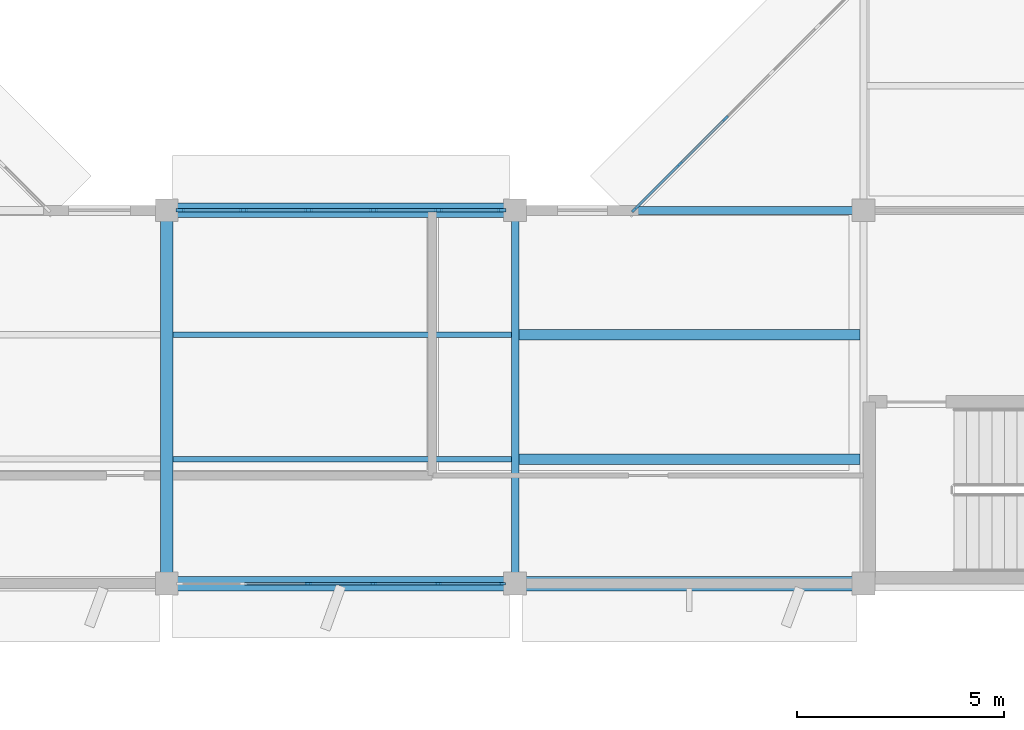
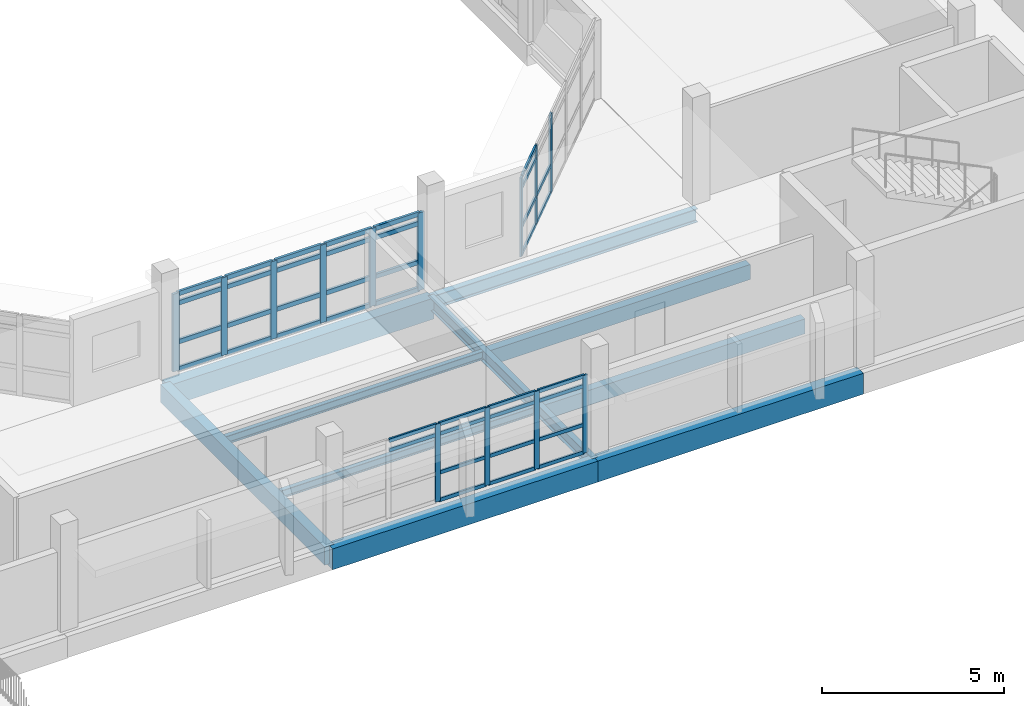
# One storey, part 11 of 92: 53 members, 10 beams, 3 elements without a shape of their own.
"""IFC4 building model written with IfcOpenShell, lengths in metres."""

import ifcopenshell
import ifcopenshell.guid

model = None  # the IFC model being written
_history = None  # IfcOwnerHistory: only IFC2X3 demands one
_inside = {}  # id of a spatial element -> (the spatial element, [elements in it])
_under = {}  # id of a project, library or spatial element -> (it, [spatial elements below it])
_declared = {}  # id of a project -> (the project, [libraries it declares])
_typed = {}  # id of a type object -> (the type object, [elements of that type])
_made_of = {}  # id of a material, layer set ... -> (it, [elements and type objects made of it])


def new_model(schema):
    """Start an empty IFC model of exactly this schema.

    Asked for "IFC4X3", IfcOpenShell would pick the latest addendum, in which some entities
    have other attributes; the version numbers below select the first issue.
    IFC2X3 requires an IfcOwnerHistory on every rooted entity: one is made here for all.
    """
    global model, _history
    if schema == "IFC4X3":
        model = ifcopenshell.file(schema_version=(4, 3, 0, 0))
    else:
        model = ifcopenshell.file(schema=schema)
    _inside.clear()
    _under.clear()
    _declared.clear()
    _typed.clear()
    _made_of.clear()
    _history = None
    if model.schema == "IFC2X3":
        org = make("IfcOrganization", Name="unknown")
        user = make(
            "IfcPersonAndOrganization",
            ThePerson=make("IfcPerson", FamilyName="unknown"),
            TheOrganization=org,
        )
        app = make(
            "IfcApplication",
            ApplicationDeveloper=org,
            Version="unknown",
            ApplicationFullName="unknown",
            ApplicationIdentifier="unknown",
        )
        _history = make(
            "IfcOwnerHistory",
            OwningUser=user,
            OwningApplication=app,
            ChangeAction="ADDED",
            CreationDate=0,
        )
    return model


def make(cls, **values):
    """One entity of the class cls with the attributes given. An attribute that is None is left unset."""
    return model.create_entity(
        cls, **{name: value for name, value in values.items() if value is not None}
    )


def rooted(cls, **values):
    """An entity with a GlobalId (a new one), such as an element, a storey or a relation."""
    return make(cls, GlobalId=ifcopenshell.guid.new(), OwnerHistory=_history, **values)


def si_unit(unit_type, name, prefix=None):
    """IfcSIUnit, for example si_unit("LENGTHUNIT", "METRE", prefix="MILLI")."""
    return make("IfcSIUnit", UnitType=unit_type, Prefix=prefix, Name=name)


def assignment(units):
    """IfcUnitAssignment: the units of a project."""
    return None if units is None else make("IfcUnitAssignment", Units=units)


def point(xyz):
    """IfcCartesianPoint."""
    return None if xyz is None else make("IfcCartesianPoint", Coordinates=xyz)


def direction(xyz):
    """IfcDirection."""
    return None if xyz is None else make("IfcDirection", DirectionRatios=xyz)


def frame(location, z_axis=None, x_axis=None):
    """IfcAxis2Placement3D, a coordinate frame: its origin and axes. An axis left out is left unset."""
    return make(
        "IfcAxis2Placement3D",
        Location=point(location),
        Axis=direction(z_axis),
        RefDirection=direction(x_axis),
    )


def frame_2d(location, x_axis=None):
    """IfcAxis2Placement2D, a coordinate frame in the plane: its origin and x axis."""
    return make(
        "IfcAxis2Placement2D", Location=point(location), RefDirection=direction(x_axis)
    )


def origin():
    """The frame at (0, 0, 0) with its axes left unset."""
    return frame((0.0, 0.0, 0.0))


def origin_2d():
    """The frame at (0, 0) in the plane with its x axis left unset."""
    return frame_2d((0.0, 0.0))


def place(relative_to, where):
    """IfcLocalPlacement: puts the frame where relative to a parent placement (None: the world)."""
    return make(
        "IfcLocalPlacement", PlacementRelTo=relative_to, RelativePlacement=where
    )


def context(
    kind, dimensions, precision=None, world=None, true_north=None, identifier=None
):
    """IfcGeometricRepresentationContext, for example the 3D "Model" context."""
    return make(
        "IfcGeometricRepresentationContext",
        ContextIdentifier=identifier,
        ContextType=kind,
        CoordinateSpaceDimension=dimensions,
        Precision=precision,
        WorldCoordinateSystem=world,
        TrueNorth=true_north,
    )


def subcontext(parent, identifier, kind, view, scale=None):
    """IfcGeometricRepresentationSubContext, for example "Body" below "Model"."""
    return make(
        "IfcGeometricRepresentationSubContext",
        ContextIdentifier=identifier,
        ContextType=kind,
        ParentContext=parent,
        TargetScale=scale,
        TargetView=view,
    )


def project(units=None, contexts=None):
    """IfcProject with its units and contexts."""
    return rooted(
        "IfcProject",
        Name="project",
        RepresentationContexts=contexts,
        UnitsInContext=assignment(units),
    )


def spatial(cls, under=None, at=None, **own):
    """A site, building, storey or space (cls), placed at a placement, below another one or the project."""
    s = rooted(cls, ObjectPlacement=at, **own)
    if under is not None:
        _under.setdefault(under.id(), (under, []))[1].append(s)
    return s


def profile(cls, at=None, kind="AREA", **sizes):
    """A parametric profile (cls). Its sizes go by their IFC names, for example OverallWidth=200.0."""
    return make(cls, ProfileType=kind, Position=at, **sizes)


def rectangle(**sizes):
    """IfcRectangleProfileDef."""
    return profile("IfcRectangleProfileDef", **sizes)


def i_section(**sizes):
    """IfcIShapeProfileDef."""
    return profile("IfcIShapeProfileDef", **sizes)


def extrude(swept, where, along, depth):
    """IfcExtrudedAreaSolid: the profile swept, set in the frame where, extruded along a direction by depth."""
    return make(
        "IfcExtrudedAreaSolid",
        SweptArea=swept,
        Position=where,
        ExtrudedDirection=direction(along),
        Depth=depth,
    )


def shape(context_of_items, identifier, shape_type, items):
    """IfcShapeRepresentation: the items that make up one representation, for example the "Body"."""
    return make(
        "IfcShapeRepresentation",
        ContextOfItems=context_of_items,
        RepresentationIdentifier=identifier,
        RepresentationType=shape_type,
        Items=items,
    )


def material(Name=None, Category=None):
    """IfcMaterial."""
    return make("IfcMaterial", Name=Name, Category=Category)


def material_profile(
    of_material, cross_section, Name=None, Category=None, Priority=None
):
    """IfcMaterialProfile: a cross section and its material."""
    return make(
        "IfcMaterialProfile",
        Name=Name,
        Material=of_material,
        Profile=cross_section,
        Priority=Priority,
        Category=Category,
    )


def profile_set(profiles, Name=None, composite=None):
    """IfcMaterialProfileSet."""
    return make(
        "IfcMaterialProfileSet",
        Name=Name,
        MaterialProfiles=profiles,
        CompositeProfile=composite,
    )


def made_of(thing, what):
    """Note that an element or type object is made of a material, layer set ...; save() writes the relation."""
    if what is not None:
        _made_of.setdefault(what.id(), (what, []))[1].append(thing)
    return thing


def type_object(cls, material=None, **own):
    """A type object (cls), such as IfcWallType, which elements share."""
    return made_of(rooted(cls, **own), material)


def element(
    cls,
    number,
    at=None,
    inside=None,
    cuts=None,
    type_object=None,
    material=None,
    context=None,
    identifier="Body",
    shape_type=None,
    held_by="IfcProductDefinitionShape",
    body=None,
    shapes=None,
    **own,
):
    """One element of the class cls, such as IfcWall. Its Tag is "e" and its number.

    at: its placement. inside: the storey or other place that contains it. cuts: it is an
    opening in that element (IfcRelVoidsElement). A single representation is given by context,
    identifier, shape_type and body (its items); several are given by shapes. held_by: the class
    of the entity that holds the representations. save() writes the other relations.
    """
    e = rooted(cls, Tag="e%d" % number, ObjectPlacement=at, **own)
    if body is not None:
        shapes = [shape(context, identifier, shape_type, body)]
    if shapes is not None:
        e.Representation = make(held_by, Representations=shapes)
    if inside is not None:
        _inside.setdefault(inside.id(), (inside, []))[1].append(e)
    if cuts is not None:
        rooted(
            "IfcRelVoidsElement", RelatingBuildingElement=cuts, RelatedOpeningElement=e
        )
    if type_object is not None:
        _typed.setdefault(type_object.id(), (type_object, []))[1].append(e)
    return made_of(e, material)


def aggregate(whole, parts):
    """IfcRelAggregates: a whole, such as a stair, and the parts it consists of."""
    return rooted("IfcRelAggregates", RelatingObject=whole, RelatedObjects=parts)


def save(model, path):
    """Write the relations noted so far, then the file.

    IfcRelAggregates (storeys below a building ...), IfcRelContainedInSpatialStructure (elements
    in a storey), IfcRelDefinesByType, IfcRelAssociatesMaterial and IfcRelDeclares: one each for
    every whole, place, type object, material and project.
    """
    for whole, parts in _under.values():
        aggregate(whole, parts)
    for where, things in _inside.values():
        rooted(
            "IfcRelContainedInSpatialStructure",
            RelatedElements=things,
            RelatingStructure=where,
        )
    for kind, things in _typed.values():
        rooted("IfcRelDefinesByType", RelatedObjects=things, RelatingType=kind)
    for what, things in _made_of.values():
        rooted("IfcRelAssociatesMaterial", RelatedObjects=things, RelatingMaterial=what)
    for by, libraries in _declared.values():
        rooted("IfcRelDeclares", RelatingContext=by, RelatedDefinitions=libraries)
    model.write(path)


model = new_model("IFC4")

# Units and contexts
model_context = context("Model", 3, precision=1e-05, world=origin(), true_north=direction((0.0, 1.0)))
body_context = subcontext(model_context, "Body", "Model", "MODEL_VIEW")
ifc_project = project(units=[si_unit("LENGTHUNIT", "METRE"), si_unit("AREAUNIT", "SQUARE_METRE"), si_unit("VOLUMEUNIT", "CUBIC_METRE"), si_unit("PLANEANGLEUNIT", "RADIAN"), si_unit("MASSUNIT", "GRAM", prefix="KILO")], contexts=[model_context])

# Site, building, storey
site_placement = place(None, origin())
site = spatial("IfcSite", under=ifc_project, at=site_placement, CompositionType="ELEMENT")
building_placement = place(site_placement, origin())
building = spatial("IfcBuilding", under=site, at=building_placement, Name="Vanh Quang Courtyard School", CompositionType="ELEMENT")
storey_placement = place(building_placement, frame((0.0, 0.0, 7.800048828125)))
storey = spatial("IfcBuildingStorey", under=building, at=storey_placement, Name="L02", CompositionType="ELEMENT", Elevation=7.800048828125)

# Beams
ifc_material_1 = material(Name="Concrete C35/45", Category="concrete")
ifc_material_profile_1 = material_profile(ifc_material_1, rectangle(XDim=0.300048828125, YDim=0.60009765625, at=origin_2d()), Name="RC-BM 300x600")
ifc_profile_set_1 = profile_set([ifc_material_profile_1], Name="Concrete C35/45")
beam_type_1 = type_object("IfcBeamType", Name="BM-RC-300x600", PredefinedType="BEAM", material=ifc_profile_set_1)
beam_1_placement = place(storey_placement, frame((49.199951171875, 32.39990234375, -0.60009765625), z_axis=(0.0, 1.0, 0.0), x_axis=(-1.0, 0.0, 0.0)))
element("IfcBeam", 1, at=beam_1_placement, inside=storey, type_object=beam_type_1, Name="Beam B-06 (L02)", PredefinedType="BEAM", context=body_context, shape_type="SweptSolid", body=[
    extrude(rectangle(XDim=0.300048828125, YDim=0.60009765625, at=origin_2d()), origin(), (0.0, 0.0, 1.0), 9.0),
])
ifc_material_profile_2 = material_profile(ifc_material_1, rectangle(XDim=0.35009765625, YDim=0.699951171875, at=origin_2d()), Name="RC-BM 350x700")
ifc_profile_set_2 = profile_set([ifc_material_profile_2], Name="Concrete C35/45")
beam_type_2 = type_object("IfcBeamType", Name="BM-RC-350x700", PredefinedType="BEAM", material=ifc_profile_set_2)
beam_2_placement = place(storey_placement, frame((49.199951171875, 32.39990234375, -0.650146484375), z_axis=(1.0, 0.0, 0.0), x_axis=(0.0, 1.0, 0.0)))
element("IfcBeam", 2, at=beam_2_placement, inside=storey, type_object=beam_type_2, Name="Beam B-04 (L02)", PredefinedType="BEAM", context=body_context, shape_type="SweptSolid", body=[
    extrude(rectangle(XDim=0.35009765625, YDim=0.699951171875, at=origin_2d()), origin(), (0.0, 0.0, 1.0), 8.400146484375),
])
beam_3_placement = place(storey_placement, frame((57.60009765625, 32.39990234375, -0.650146484375), z_axis=(1.0, 0.0, 0.0), x_axis=(0.0, 1.0, 0.0)))
element("IfcBeam", 3, at=beam_3_placement, inside=storey, type_object=beam_type_2, Name="Beam B-04 (L02)", PredefinedType="BEAM", context=body_context, shape_type="SweptSolid", body=[
    extrude(rectangle(XDim=0.35009765625, YDim=0.699951171875, at=origin_2d()), origin(), (0.0, 0.0, 1.0), 8.39990234375),
])
beam_4_placement = place(storey_placement, frame((49.199951171875, 41.39990234375, -0.650146484375), z_axis=(1.0, 0.0, 0.0), x_axis=(0.0, 1.0, 0.0)))
element("IfcBeam", 4, at=beam_4_placement, inside=storey, type_object=beam_type_2, Name="Beam B-04 (L02)", PredefinedType="BEAM", context=body_context, shape_type="SweptSolid", body=[
    extrude(rectangle(XDim=0.35009765625, YDim=0.699951171875, at=origin_2d()), origin(), (0.0, 0.0, 1.0), 8.400146484375),
])
ifc_material_2 = material(Name="Structural steel EN 10025-2 S355J2", Category="steel")
ifc_material_profile_3 = material_profile(ifc_material_2, i_section(OverallWidth=0.179931640625, OverallDepth=0.39990234375, WebThickness=0.008544921875, FlangeThickness=0.013427734375, FilletRadius=0.02099609375, at=origin_2d()), Name="IPE 400")
ifc_profile_set_3 = profile_set([ifc_material_profile_3], Name="Structural steel EN 10025-2 S355J2")
beam_type_3 = type_object("IfcBeamType", Name="BM-STL-IPE400", PredefinedType="BEAM", material=ifc_profile_set_3)
beam_5_placement = place(storey_placement, frame((57.60009765625, 32.39990234375, -0.5), z_axis=(0.0, 1.0, 0.0), x_axis=(-1.0, 0.0, 0.0)))
element("IfcBeam", 5, at=beam_5_placement, inside=storey, type_object=beam_type_3, Name="Beam SB-05 (L02)", PredefinedType="BEAM", context=body_context, shape_type="SweptSolid", body=[
    extrude(i_section(OverallWidth=0.179931640625, OverallDepth=0.39990234375, WebThickness=0.008544921875, FlangeThickness=0.013427734375, FilletRadius=0.02099609375, at=origin_2d()), origin(), (0.0, 0.0, 1.0), 9.0),
])
ifc_material_profile_4 = material_profile(ifc_material_2, i_section(OverallWidth=0.18994140625, OverallDepth=0.449951171875, WebThickness=0.009521484375, FlangeThickness=0.0146484375, FilletRadius=0.02099609375, at=origin_2d()), Name="IPE 450")
ifc_profile_set_4 = profile_set([ifc_material_profile_4], Name="Structural steel EN 10025-2 S355J2")
beam_type_4 = type_object("IfcBeamType", Name="BM-STL-IPE450", PredefinedType="BEAM", material=ifc_profile_set_4)
beam_6_placement = place(storey_placement, frame((57.60009765625, 41.39990234375, -0.525146484375), z_axis=(1.0, 0.0, 0.0), x_axis=(0.0, 1.0, 0.0)))
element("IfcBeam", 6, at=beam_6_placement, inside=storey, type_object=beam_type_4, Name="Beam SB-04 (L02)", PredefinedType="BEAM", context=body_context, shape_type="SweptSolid", body=[
    extrude(i_section(OverallWidth=0.18994140625, OverallDepth=0.449951171875, WebThickness=0.009521484375, FlangeThickness=0.0146484375, FilletRadius=0.02099609375, at=origin_2d()), origin(), (0.0, 0.0, 1.0), 8.39990234375),
])

# Curtain wall, members
ifc_material_3 = material(Name="Thermally broken aluminium unitised curtain wall", Category="aluminium")
curtain_wall_type = type_object("IfcCurtainWallType", Name="CW-SYS-24", PredefinedType="NOTDEFINED", material=ifc_material_3)
curtain_wall_1_placement = place(storey_placement, origin())
curtain_wall_1 = element("IfcCurtainWall", 7, at=curtain_wall_1_placement, inside=storey, type_object=curtain_wall_type, Name="Curtain Wall CW-24 (L02)", PredefinedType="NOTDEFINED")
ifc_material_4 = material(Name="Anodised aluminium 6063-T6", Category="aluminium")
ifc_material_profile_5 = material_profile(ifc_material_4, rectangle(XDim=0.06005859375, YDim=0.159912109375, at=origin_2d()), Name="ALU-MUL 60x160")
ifc_profile_set_5 = profile_set([ifc_material_profile_5], Name="Anodised aluminium 6063-T6")
member_type_1 = type_object("IfcMemberType", Name="CW-MUL-60x160", PredefinedType="MULLION", material=ifc_profile_set_5)
member_1_placement = place(storey_placement, frame((57.287109375, 32.39990234375, 0.0), z_axis=(0.0, 0.0, 1.0), x_axis=(0.0, -1.0, 0.0)))
member_1 = element("IfcMember", 8, at=member_1_placement, type_object=member_type_1, Name="CW-24 mullion 1", PredefinedType="MULLION", context=body_context, shape_type="SweptSolid", body=[
    extrude(rectangle(XDim=0.06005859375, YDim=0.159912109375, at=origin_2d()), origin(), (0.0, 0.0, 1.0), 2.599853515625),
])
member_2_placement = place(storey_placement, frame((55.750244140625, 32.39990234375, 0.0), z_axis=(0.0, 0.0, 1.0), x_axis=(0.0, -1.0, 0.0)))
member_2 = element("IfcMember", 9, at=member_2_placement, type_object=member_type_1, Name="CW-24 mullion 2", PredefinedType="MULLION", context=body_context, shape_type="SweptSolid", body=[
    extrude(rectangle(XDim=0.06005859375, YDim=0.159912109375, at=origin_2d()), origin(), (0.0, 0.0, 1.0), 2.599853515625),
])
member_3_placement = place(storey_placement, frame((54.183349609375, 32.39990234375, 0.0), z_axis=(0.0, 0.0, 1.0), x_axis=(0.0, -1.0, 0.0)))
member_3 = element("IfcMember", 10, at=member_3_placement, type_object=member_type_1, Name="CW-24 mullion 3", PredefinedType="MULLION", context=body_context, shape_type="SweptSolid", body=[
    extrude(rectangle(XDim=0.06005859375, YDim=0.159912109375, at=origin_2d()), origin(), (0.0, 0.0, 1.0), 2.599853515625),
])
member_4_placement = place(storey_placement, frame((52.61669921875, 32.39990234375, 0.0), z_axis=(0.0, 0.0, 1.0), x_axis=(0.0, -1.0, 0.0)))
member_4 = element("IfcMember", 11, at=member_4_placement, type_object=member_type_1, Name="CW-24 mullion 4", PredefinedType="MULLION", context=body_context, shape_type="SweptSolid", body=[
    extrude(rectangle(XDim=0.06005859375, YDim=0.159912109375, at=origin_2d()), origin(), (0.0, 0.0, 1.0), 2.599853515625),
])

curtain_wall_2_placement = place(storey_placement, origin())
curtain_wall_2 = element("IfcCurtainWall", 12, at=curtain_wall_2_placement, inside=storey, type_object=curtain_wall_type, Name="Curtain Wall CW-24 (L02)", PredefinedType="NOTDEFINED")
member_5_placement = place(storey_placement, frame((60.477294921875, 41.421142578125, 0.0), z_axis=(0.0, 0.0, 1.0), x_axis=(-0.707106781187, 0.707106781187, 0.0)))
member_5 = element("IfcMember", 13, at=member_5_placement, type_object=member_type_1, Name="CW-24 mullion 1", PredefinedType="MULLION", context=body_context, shape_type="SweptSolid", body=[
    extrude(rectangle(XDim=0.06005859375, YDim=0.159912109375, at=origin_2d()), origin(), (0.0, 0.0, 1.0), 2.64990234375),
])
member_6_placement = place(storey_placement, frame((61.564697265625, 42.5087890625, 0.0), z_axis=(0.0, 0.0, 1.0), x_axis=(-0.707106781187, 0.707106781187, 0.0)))
member_6 = element("IfcMember", 14, at=member_6_placement, type_object=member_type_1, Name="CW-24 mullion 2", PredefinedType="MULLION", context=body_context, shape_type="SweptSolid", body=[
    extrude(rectangle(XDim=0.06005859375, YDim=0.159912109375, at=origin_2d()), origin(), (0.0, 0.0, 1.0), 2.64990234375),
])
member_7_placement = place(storey_placement, frame((62.673583984375, 43.61767578125, 0.0), z_axis=(0.0, 0.0, 1.0), x_axis=(-0.707106781187, 0.707106781187, 0.0)))
member_7 = element("IfcMember", 15, at=member_7_placement, type_object=member_type_1, Name="CW-24 mullion 3", PredefinedType="MULLION", context=body_context, shape_type="SweptSolid", body=[
    extrude(rectangle(XDim=0.06005859375, YDim=0.159912109375, at=origin_2d()), origin(), (0.0, 0.0, 1.0), 2.64990234375),
])

curtain_wall_3_placement = place(storey_placement, origin())
curtain_wall_3 = element("IfcCurtainWall", 16, at=curtain_wall_3_placement, inside=storey, type_object=curtain_wall_type, Name="Curtain Wall CW-24 (L02)", PredefinedType="NOTDEFINED")
ifc_material_profile_6 = material_profile(ifc_material_4, rectangle(XDim=0.080078125, YDim=0.199951171875, at=origin_2d()), Name="ALU-MUL 80x200")
ifc_profile_set_6 = profile_set([ifc_material_profile_6], Name="Anodised aluminium 6063-T6")
member_type_2 = type_object("IfcMemberType", Name="CW-MUL-80x200", PredefinedType="MULLION", material=ifc_profile_set_6)
member_8_placement = place(storey_placement, frame((49.52294921875, 41.39990234375, 0.0), z_axis=(0.0, 0.0, 1.0), x_axis=(0.0, 1.0, 0.0)))
member_8 = element("IfcMember", 17, at=member_8_placement, type_object=member_type_2, Name="CW-24 mullion 1", PredefinedType="MULLION", context=body_context, shape_type="SweptSolid", body=[
    extrude(rectangle(XDim=0.080078125, YDim=0.199951171875, at=origin_2d()), origin(), (0.0, 0.0, 1.0), 2.599853515625),
])
member_9_placement = place(storey_placement, frame((51.0498046875, 41.39990234375, 0.0), z_axis=(0.0, 0.0, 1.0), x_axis=(0.0, 1.0, 0.0)))
member_9 = element("IfcMember", 18, at=member_9_placement, type_object=member_type_2, Name="CW-24 mullion 2", PredefinedType="MULLION", context=body_context, shape_type="SweptSolid", body=[
    extrude(rectangle(XDim=0.080078125, YDim=0.199951171875, at=origin_2d()), origin(), (0.0, 0.0, 1.0), 2.599853515625),
])
member_10_placement = place(storey_placement, frame((52.61669921875, 41.39990234375, 0.0), z_axis=(0.0, 0.0, 1.0), x_axis=(0.0, 1.0, 0.0)))
member_10 = element("IfcMember", 19, at=member_10_placement, type_object=member_type_2, Name="CW-24 mullion 3", PredefinedType="MULLION", context=body_context, shape_type="SweptSolid", body=[
    extrude(rectangle(XDim=0.080078125, YDim=0.199951171875, at=origin_2d()), origin(), (0.0, 0.0, 1.0), 2.599853515625),
])
member_11_placement = place(storey_placement, frame((54.183349609375, 41.39990234375, 0.0), z_axis=(0.0, 0.0, 1.0), x_axis=(0.0, 1.0, 0.0)))
member_11 = element("IfcMember", 20, at=member_11_placement, type_object=member_type_2, Name="CW-24 mullion 4", PredefinedType="MULLION", context=body_context, shape_type="SweptSolid", body=[
    extrude(rectangle(XDim=0.080078125, YDim=0.199951171875, at=origin_2d()), origin(), (0.0, 0.0, 1.0), 2.599853515625),
])
member_12_placement = place(storey_placement, frame((55.750244140625, 41.39990234375, 0.0), z_axis=(0.0, 0.0, 1.0), x_axis=(0.0, 1.0, 0.0)))
member_12 = element("IfcMember", 21, at=member_12_placement, type_object=member_type_2, Name="CW-24 mullion 5", PredefinedType="MULLION", context=body_context, shape_type="SweptSolid", body=[
    extrude(rectangle(XDim=0.080078125, YDim=0.199951171875, at=origin_2d()), origin(), (0.0, 0.0, 1.0), 2.599853515625),
])
member_13_placement = place(storey_placement, frame((57.277099609375, 41.39990234375, 0.0), z_axis=(0.0, 0.0, 1.0), x_axis=(0.0, 1.0, 0.0)))
member_13 = element("IfcMember", 22, at=member_13_placement, type_object=member_type_2, Name="CW-24 mullion 6", PredefinedType="MULLION", context=body_context, shape_type="SweptSolid", body=[
    extrude(rectangle(XDim=0.080078125, YDim=0.199951171875, at=origin_2d()), origin(), (0.0, 0.0, 1.0), 2.599853515625),
])

# Member
ifc_material_profile_7 = material_profile(ifc_material_4, rectangle(XDim=0.06005859375, YDim=0.1201171875, at=origin_2d()), Name="ALU-TRN 60x120")
ifc_profile_set_7 = profile_set([ifc_material_profile_7], Name="Anodised aluminium 6063-T6")
member_type_3 = type_object("IfcMemberType", Name="CW-TRN-60x120", PredefinedType="USERDEFINED", material=ifc_profile_set_7)
member_14_placement = place(storey_placement, frame((57.257080078125, 32.39990234375, 0.030029296875), z_axis=(-1.0, 0.0, 0.0), x_axis=(0.0, -1.0, 0.0)))
member_14 = element("IfcMember", 23, at=member_14_placement, type_object=member_type_3, Name="CW-24 transom 1.1", ObjectType="TRANSOM", PredefinedType="USERDEFINED", context=body_context, shape_type="SweptSolid", body=[
    extrude(rectangle(XDim=0.06005859375, YDim=0.1201171875, at=origin_2d()), origin(), (0.0, 0.0, 1.0), 1.476806640625),
])

member_15_placement = place(storey_placement, frame((57.257080078125, 32.39990234375, 0.949951171875), z_axis=(-1.0, 0.0, 0.0), x_axis=(0.0, -1.0, 0.0)))
member_15 = element("IfcMember", 24, at=member_15_placement, type_object=member_type_3, Name="CW-24 transom 1.2", ObjectType="TRANSOM", PredefinedType="USERDEFINED", context=body_context, shape_type="SweptSolid", body=[
    extrude(rectangle(XDim=0.06005859375, YDim=0.1201171875, at=origin_2d()), origin(), (0.0, 0.0, 1.0), 1.476806640625),
])

member_16_placement = place(storey_placement, frame((57.257080078125, 32.39990234375, 2.25), z_axis=(-1.0, 0.0, 0.0), x_axis=(0.0, -1.0, 0.0)))
member_16 = element("IfcMember", 25, at=member_16_placement, type_object=member_type_3, Name="CW-24 transom 1.3", ObjectType="TRANSOM", PredefinedType="USERDEFINED", context=body_context, shape_type="SweptSolid", body=[
    extrude(rectangle(XDim=0.06005859375, YDim=0.1201171875, at=origin_2d()), origin(), (0.0, 0.0, 1.0), 1.476806640625),
])

member_17_placement = place(storey_placement, frame((57.257080078125, 32.39990234375, 2.570068359375), z_axis=(-1.0, 0.0, 0.0), x_axis=(0.0, -1.0, 0.0)))
member_17 = element("IfcMember", 26, at=member_17_placement, type_object=member_type_3, Name="CW-24 transom 1.4", ObjectType="TRANSOM", PredefinedType="USERDEFINED", context=body_context, shape_type="SweptSolid", body=[
    extrude(rectangle(XDim=0.06005859375, YDim=0.1201171875, at=origin_2d()), origin(), (0.0, 0.0, 1.0), 1.476806640625),
])

member_18_placement = place(storey_placement, frame((55.72021484375, 32.39990234375, 0.030029296875), z_axis=(-1.0, 0.0, 0.0), x_axis=(0.0, -1.0, 0.0)))
member_18 = element("IfcMember", 27, at=member_18_placement, type_object=member_type_3, Name="CW-24 transom 2.1", ObjectType="TRANSOM", PredefinedType="USERDEFINED", context=body_context, shape_type="SweptSolid", body=[
    extrude(rectangle(XDim=0.06005859375, YDim=0.1201171875, at=origin_2d()), origin(), (0.0, 0.0, 1.0), 1.5068359375),
])

member_19_placement = place(storey_placement, frame((55.72021484375, 32.39990234375, 0.949951171875), z_axis=(-1.0, 0.0, 0.0), x_axis=(0.0, -1.0, 0.0)))
member_19 = element("IfcMember", 28, at=member_19_placement, type_object=member_type_3, Name="CW-24 transom 2.2", ObjectType="TRANSOM", PredefinedType="USERDEFINED", context=body_context, shape_type="SweptSolid", body=[
    extrude(rectangle(XDim=0.06005859375, YDim=0.1201171875, at=origin_2d()), origin(), (0.0, 0.0, 1.0), 1.5068359375),
])

member_20_placement = place(storey_placement, frame((55.72021484375, 32.39990234375, 2.25), z_axis=(-1.0, 0.0, 0.0), x_axis=(0.0, -1.0, 0.0)))
member_20 = element("IfcMember", 29, at=member_20_placement, type_object=member_type_3, Name="CW-24 transom 2.3", ObjectType="TRANSOM", PredefinedType="USERDEFINED", context=body_context, shape_type="SweptSolid", body=[
    extrude(rectangle(XDim=0.06005859375, YDim=0.1201171875, at=origin_2d()), origin(), (0.0, 0.0, 1.0), 1.5068359375),
])

member_21_placement = place(storey_placement, frame((55.72021484375, 32.39990234375, 2.570068359375), z_axis=(-1.0, 0.0, 0.0), x_axis=(0.0, -1.0, 0.0)))
member_21 = element("IfcMember", 30, at=member_21_placement, type_object=member_type_3, Name="CW-24 transom 2.4", ObjectType="TRANSOM", PredefinedType="USERDEFINED", context=body_context, shape_type="SweptSolid", body=[
    extrude(rectangle(XDim=0.06005859375, YDim=0.1201171875, at=origin_2d()), origin(), (0.0, 0.0, 1.0), 1.5068359375),
])

member_22_placement = place(storey_placement, frame((54.1533203125, 32.39990234375, 0.030029296875), z_axis=(-1.0, 0.0, 0.0), x_axis=(0.0, -1.0, 0.0)))
member_22 = element("IfcMember", 31, at=member_22_placement, type_object=member_type_3, Name="CW-24 transom 3.1", ObjectType="TRANSOM", PredefinedType="USERDEFINED", context=body_context, shape_type="SweptSolid", body=[
    extrude(rectangle(XDim=0.06005859375, YDim=0.1201171875, at=origin_2d()), origin(), (0.0, 0.0, 1.0), 1.5068359375),
])

member_23_placement = place(storey_placement, frame((54.1533203125, 32.39990234375, 0.949951171875), z_axis=(-1.0, 0.0, 0.0), x_axis=(0.0, -1.0, 0.0)))
member_23 = element("IfcMember", 32, at=member_23_placement, type_object=member_type_3, Name="CW-24 transom 3.2", ObjectType="TRANSOM", PredefinedType="USERDEFINED", context=body_context, shape_type="SweptSolid", body=[
    extrude(rectangle(XDim=0.06005859375, YDim=0.1201171875, at=origin_2d()), origin(), (0.0, 0.0, 1.0), 1.5068359375),
])

member_24_placement = place(storey_placement, frame((54.1533203125, 32.39990234375, 2.25), z_axis=(-1.0, 0.0, 0.0), x_axis=(0.0, -1.0, 0.0)))
member_24 = element("IfcMember", 33, at=member_24_placement, type_object=member_type_3, Name="CW-24 transom 3.3", ObjectType="TRANSOM", PredefinedType="USERDEFINED", context=body_context, shape_type="SweptSolid", body=[
    extrude(rectangle(XDim=0.06005859375, YDim=0.1201171875, at=origin_2d()), origin(), (0.0, 0.0, 1.0), 1.5068359375),
])

member_25_placement = place(storey_placement, frame((54.1533203125, 32.39990234375, 2.570068359375), z_axis=(-1.0, 0.0, 0.0), x_axis=(0.0, -1.0, 0.0)))
member_25 = element("IfcMember", 34, at=member_25_placement, type_object=member_type_3, Name="CW-24 transom 3.4", ObjectType="TRANSOM", PredefinedType="USERDEFINED", context=body_context, shape_type="SweptSolid", body=[
    extrude(rectangle(XDim=0.06005859375, YDim=0.1201171875, at=origin_2d()), origin(), (0.0, 0.0, 1.0), 1.5068359375),
])

member_26_placement = place(storey_placement, frame((52.586669921875, 32.39990234375, 2.25), z_axis=(-1.0, 0.0, 0.0), x_axis=(0.0, -1.0, 0.0)))
member_26 = element("IfcMember", 35, at=member_26_placement, type_object=member_type_3, Name="CW-24 transom 4.3", ObjectType="TRANSOM", PredefinedType="USERDEFINED", context=body_context, shape_type="SweptSolid", body=[
    extrude(rectangle(XDim=0.06005859375, YDim=0.1201171875, at=origin_2d()), origin(), (0.0, 0.0, 1.0), 1.5068359375),
])

member_27_placement = place(storey_placement, frame((52.586669921875, 32.39990234375, 2.570068359375), z_axis=(-1.0, 0.0, 0.0), x_axis=(0.0, -1.0, 0.0)))
member_27 = element("IfcMember", 36, at=member_27_placement, type_object=member_type_3, Name="CW-24 transom 4.4", ObjectType="TRANSOM", PredefinedType="USERDEFINED", context=body_context, shape_type="SweptSolid", body=[
    extrude(rectangle(XDim=0.06005859375, YDim=0.1201171875, at=origin_2d()), origin(), (0.0, 0.0, 1.0), 1.5068359375),
])

aggregate(curtain_wall_1, [member_1, member_2, member_3, member_4, member_14, member_15, member_16, member_17, member_18, member_19, member_20, member_21, member_22, member_23, member_24, member_25, member_26, member_27])

member_28_placement = place(storey_placement, frame((60.49853515625, 41.4423828125, 0.030029296875), z_axis=(0.707106781187, 0.707106781187, 0.0), x_axis=(-0.707106781187, 0.707106781187, 0.0)))
member_28 = element("IfcMember", 37, at=member_28_placement, type_object=member_type_3, Name="CW-24 transom 1.1", ObjectType="TRANSOM", PredefinedType="USERDEFINED", context=body_context, shape_type="SweptSolid", body=[
    extrude(rectangle(XDim=0.06005859375, YDim=0.1201171875, at=origin_2d()), origin(), (0.0, 0.0, 1.0), 1.47802734375),
])

member_29_placement = place(storey_placement, frame((60.49853515625, 41.4423828125, 0.949951171875), z_axis=(0.707106781187, 0.707106781187, 0.0), x_axis=(-0.707106781187, 0.707106781187, 0.0)))
member_29 = element("IfcMember", 38, at=member_29_placement, type_object=member_type_3, Name="CW-24 transom 1.2", ObjectType="TRANSOM", PredefinedType="USERDEFINED", context=body_context, shape_type="SweptSolid", body=[
    extrude(rectangle(XDim=0.06005859375, YDim=0.1201171875, at=origin_2d()), origin(), (0.0, 0.0, 1.0), 1.47802734375),
])

member_30_placement = place(storey_placement, frame((60.49853515625, 41.4423828125, 2.25), z_axis=(0.707106781187, 0.707106781187, 0.0), x_axis=(-0.707106781187, 0.707106781187, 0.0)))
member_30 = element("IfcMember", 39, at=member_30_placement, type_object=member_type_3, Name="CW-24 transom 1.3", ObjectType="TRANSOM", PredefinedType="USERDEFINED", context=body_context, shape_type="SweptSolid", body=[
    extrude(rectangle(XDim=0.06005859375, YDim=0.1201171875, at=origin_2d()), origin(), (0.0, 0.0, 1.0), 1.47802734375),
])

member_31_placement = place(storey_placement, frame((60.49853515625, 41.4423828125, 2.619873046875), z_axis=(0.707106781187, 0.707106781187, 0.0), x_axis=(-0.707106781187, 0.707106781187, 0.0)))
member_31 = element("IfcMember", 40, at=member_31_placement, type_object=member_type_3, Name="CW-24 transom 1.4", ObjectType="TRANSOM", PredefinedType="USERDEFINED", context=body_context, shape_type="SweptSolid", body=[
    extrude(rectangle(XDim=0.06005859375, YDim=0.1201171875, at=origin_2d()), origin(), (0.0, 0.0, 1.0), 1.47802734375),
])

member_32_placement = place(storey_placement, frame((61.5859375, 42.530029296875, 0.030029296875), z_axis=(0.707106781187, 0.707106781187, 0.0), x_axis=(-0.707106781187, 0.707106781187, 0.0)))
member_32 = element("IfcMember", 41, at=member_32_placement, type_object=member_type_3, Name="CW-24 transom 2.1", ObjectType="TRANSOM", PredefinedType="USERDEFINED", context=body_context, shape_type="SweptSolid", body=[
    extrude(rectangle(XDim=0.06005859375, YDim=0.1201171875, at=origin_2d()), origin(), (0.0, 0.0, 1.0), 1.508056640625),
])

member_33_placement = place(storey_placement, frame((61.5859375, 42.530029296875, 0.949951171875), z_axis=(0.707106781187, 0.707106781187, 0.0), x_axis=(-0.707106781187, 0.707106781187, 0.0)))
member_33 = element("IfcMember", 42, at=member_33_placement, type_object=member_type_3, Name="CW-24 transom 2.2", ObjectType="TRANSOM", PredefinedType="USERDEFINED", context=body_context, shape_type="SweptSolid", body=[
    extrude(rectangle(XDim=0.06005859375, YDim=0.1201171875, at=origin_2d()), origin(), (0.0, 0.0, 1.0), 1.508056640625),
])

aggregate(curtain_wall_2, [member_5, member_6, member_7, member_28, member_29, member_30, member_31, member_32, member_33])

ifc_material_profile_8 = material_profile(ifc_material_4, rectangle(XDim=0.080078125, YDim=0.14990234375, at=origin_2d()), Name="ALU-TRN 80x150")
ifc_profile_set_8 = profile_set([ifc_material_profile_8], Name="Anodised aluminium 6063-T6")
member_type_4 = type_object("IfcMemberType", Name="CW-TRN-80x150", PredefinedType="USERDEFINED", material=ifc_profile_set_8)
member_34_placement = place(storey_placement, frame((49.56298828125, 41.39990234375, 0.0400390625), z_axis=(1.0, 0.0, 0.0), x_axis=(0.0, 1.0, 0.0)))
member_34 = element("IfcMember", 43, at=member_34_placement, type_object=member_type_4, Name="CW-24 transom 1.1", ObjectType="TRANSOM", PredefinedType="USERDEFINED", context=body_context, shape_type="SweptSolid", body=[
    extrude(rectangle(XDim=0.080078125, YDim=0.14990234375, at=origin_2d()), origin(), (0.0, 0.0, 1.0), 1.44677734375),
])

member_35_placement = place(storey_placement, frame((49.56298828125, 41.39990234375, 0.949951171875), z_axis=(1.0, 0.0, 0.0), x_axis=(0.0, 1.0, 0.0)))
member_35 = element("IfcMember", 44, at=member_35_placement, type_object=member_type_4, Name="CW-24 transom 1.2", ObjectType="TRANSOM", PredefinedType="USERDEFINED", context=body_context, shape_type="SweptSolid", body=[
    extrude(rectangle(XDim=0.080078125, YDim=0.14990234375, at=origin_2d()), origin(), (0.0, 0.0, 1.0), 1.44677734375),
])

member_36_placement = place(storey_placement, frame((49.56298828125, 41.39990234375, 2.25), z_axis=(1.0, 0.0, 0.0), x_axis=(0.0, 1.0, 0.0)))
member_36 = element("IfcMember", 45, at=member_36_placement, type_object=member_type_4, Name="CW-24 transom 1.3", ObjectType="TRANSOM", PredefinedType="USERDEFINED", context=body_context, shape_type="SweptSolid", body=[
    extrude(rectangle(XDim=0.080078125, YDim=0.14990234375, at=origin_2d()), origin(), (0.0, 0.0, 1.0), 1.44677734375),
])

member_37_placement = place(storey_placement, frame((49.56298828125, 41.39990234375, 2.56005859375), z_axis=(1.0, 0.0, 0.0), x_axis=(0.0, 1.0, 0.0)))
member_37 = element("IfcMember", 46, at=member_37_placement, type_object=member_type_4, Name="CW-24 transom 1.4", ObjectType="TRANSOM", PredefinedType="USERDEFINED", context=body_context, shape_type="SweptSolid", body=[
    extrude(rectangle(XDim=0.080078125, YDim=0.14990234375, at=origin_2d()), origin(), (0.0, 0.0, 1.0), 1.44677734375),
])

member_38_placement = place(storey_placement, frame((51.08984375, 41.39990234375, 0.0400390625), z_axis=(1.0, 0.0, 0.0), x_axis=(0.0, 1.0, 0.0)))
member_38 = element("IfcMember", 47, at=member_38_placement, type_object=member_type_4, Name="CW-24 transom 2.1", ObjectType="TRANSOM", PredefinedType="USERDEFINED", context=body_context, shape_type="SweptSolid", body=[
    extrude(rectangle(XDim=0.080078125, YDim=0.14990234375, at=origin_2d()), origin(), (0.0, 0.0, 1.0), 1.48681640625),
])

member_39_placement = place(storey_placement, frame((51.08984375, 41.39990234375, 0.949951171875), z_axis=(1.0, 0.0, 0.0), x_axis=(0.0, 1.0, 0.0)))
member_39 = element("IfcMember", 48, at=member_39_placement, type_object=member_type_4, Name="CW-24 transom 2.2", ObjectType="TRANSOM", PredefinedType="USERDEFINED", context=body_context, shape_type="SweptSolid", body=[
    extrude(rectangle(XDim=0.080078125, YDim=0.14990234375, at=origin_2d()), origin(), (0.0, 0.0, 1.0), 1.48681640625),
])

member_40_placement = place(storey_placement, frame((51.08984375, 41.39990234375, 2.25), z_axis=(1.0, 0.0, 0.0), x_axis=(0.0, 1.0, 0.0)))
member_40 = element("IfcMember", 49, at=member_40_placement, type_object=member_type_4, Name="CW-24 transom 2.3", ObjectType="TRANSOM", PredefinedType="USERDEFINED", context=body_context, shape_type="SweptSolid", body=[
    extrude(rectangle(XDim=0.080078125, YDim=0.14990234375, at=origin_2d()), origin(), (0.0, 0.0, 1.0), 1.48681640625),
])

member_41_placement = place(storey_placement, frame((51.08984375, 41.39990234375, 2.56005859375), z_axis=(1.0, 0.0, 0.0), x_axis=(0.0, 1.0, 0.0)))
member_41 = element("IfcMember", 50, at=member_41_placement, type_object=member_type_4, Name="CW-24 transom 2.4", ObjectType="TRANSOM", PredefinedType="USERDEFINED", context=body_context, shape_type="SweptSolid", body=[
    extrude(rectangle(XDim=0.080078125, YDim=0.14990234375, at=origin_2d()), origin(), (0.0, 0.0, 1.0), 1.48681640625),
])

member_42_placement = place(storey_placement, frame((52.656494140625, 41.39990234375, 0.0400390625), z_axis=(1.0, 0.0, 0.0), x_axis=(0.0, 1.0, 0.0)))
member_42 = element("IfcMember", 51, at=member_42_placement, type_object=member_type_4, Name="CW-24 transom 3.1", ObjectType="TRANSOM", PredefinedType="USERDEFINED", context=body_context, shape_type="SweptSolid", body=[
    extrude(rectangle(XDim=0.080078125, YDim=0.14990234375, at=origin_2d()), origin(), (0.0, 0.0, 1.0), 1.48681640625),
])

member_43_placement = place(storey_placement, frame((52.656494140625, 41.39990234375, 0.949951171875), z_axis=(1.0, 0.0, 0.0), x_axis=(0.0, 1.0, 0.0)))
member_43 = element("IfcMember", 52, at=member_43_placement, type_object=member_type_4, Name="CW-24 transom 3.2", ObjectType="TRANSOM", PredefinedType="USERDEFINED", context=body_context, shape_type="SweptSolid", body=[
    extrude(rectangle(XDim=0.080078125, YDim=0.14990234375, at=origin_2d()), origin(), (0.0, 0.0, 1.0), 1.48681640625),
])

member_44_placement = place(storey_placement, frame((52.656494140625, 41.39990234375, 2.25), z_axis=(1.0, 0.0, 0.0), x_axis=(0.0, 1.0, 0.0)))
member_44 = element("IfcMember", 53, at=member_44_placement, type_object=member_type_4, Name="CW-24 transom 3.3", ObjectType="TRANSOM", PredefinedType="USERDEFINED", context=body_context, shape_type="SweptSolid", body=[
    extrude(rectangle(XDim=0.080078125, YDim=0.14990234375, at=origin_2d()), origin(), (0.0, 0.0, 1.0), 1.48681640625),
])

member_45_placement = place(storey_placement, frame((52.656494140625, 41.39990234375, 2.56005859375), z_axis=(1.0, 0.0, 0.0), x_axis=(0.0, 1.0, 0.0)))
member_45 = element("IfcMember", 54, at=member_45_placement, type_object=member_type_4, Name="CW-24 transom 3.4", ObjectType="TRANSOM", PredefinedType="USERDEFINED", context=body_context, shape_type="SweptSolid", body=[
    extrude(rectangle(XDim=0.080078125, YDim=0.14990234375, at=origin_2d()), origin(), (0.0, 0.0, 1.0), 1.48681640625),
])

member_46_placement = place(storey_placement, frame((54.223388671875, 41.39990234375, 0.0400390625), z_axis=(1.0, 0.0, 0.0), x_axis=(0.0, 1.0, 0.0)))
member_46 = element("IfcMember", 55, at=member_46_placement, type_object=member_type_4, Name="CW-24 transom 4.1", ObjectType="TRANSOM", PredefinedType="USERDEFINED", context=body_context, shape_type="SweptSolid", body=[
    extrude(rectangle(XDim=0.080078125, YDim=0.14990234375, at=origin_2d()), origin(), (0.0, 0.0, 1.0), 1.48681640625),
])

member_47_placement = place(storey_placement, frame((54.223388671875, 41.39990234375, 0.949951171875), z_axis=(1.0, 0.0, 0.0), x_axis=(0.0, 1.0, 0.0)))
member_47 = element("IfcMember", 56, at=member_47_placement, type_object=member_type_4, Name="CW-24 transom 4.2", ObjectType="TRANSOM", PredefinedType="USERDEFINED", context=body_context, shape_type="SweptSolid", body=[
    extrude(rectangle(XDim=0.080078125, YDim=0.14990234375, at=origin_2d()), origin(), (0.0, 0.0, 1.0), 1.48681640625),
])

member_48_placement = place(storey_placement, frame((54.223388671875, 41.39990234375, 2.25), z_axis=(1.0, 0.0, 0.0), x_axis=(0.0, 1.0, 0.0)))
member_48 = element("IfcMember", 57, at=member_48_placement, type_object=member_type_4, Name="CW-24 transom 4.3", ObjectType="TRANSOM", PredefinedType="USERDEFINED", context=body_context, shape_type="SweptSolid", body=[
    extrude(rectangle(XDim=0.080078125, YDim=0.14990234375, at=origin_2d()), origin(), (0.0, 0.0, 1.0), 1.48681640625),
])

member_49_placement = place(storey_placement, frame((54.223388671875, 41.39990234375, 2.56005859375), z_axis=(1.0, 0.0, 0.0), x_axis=(0.0, 1.0, 0.0)))
member_49 = element("IfcMember", 58, at=member_49_placement, type_object=member_type_4, Name="CW-24 transom 4.4", ObjectType="TRANSOM", PredefinedType="USERDEFINED", context=body_context, shape_type="SweptSolid", body=[
    extrude(rectangle(XDim=0.080078125, YDim=0.14990234375, at=origin_2d()), origin(), (0.0, 0.0, 1.0), 1.48681640625),
])

member_50_placement = place(storey_placement, frame((55.790283203125, 41.39990234375, 0.0400390625), z_axis=(1.0, 0.0, 0.0), x_axis=(0.0, 1.0, 0.0)))
member_50 = element("IfcMember", 59, at=member_50_placement, type_object=member_type_4, Name="CW-24 transom 5.1", ObjectType="TRANSOM", PredefinedType="USERDEFINED", context=body_context, shape_type="SweptSolid", body=[
    extrude(rectangle(XDim=0.080078125, YDim=0.14990234375, at=origin_2d()), origin(), (0.0, 0.0, 1.0), 1.44677734375),
])

member_51_placement = place(storey_placement, frame((55.790283203125, 41.39990234375, 0.949951171875), z_axis=(1.0, 0.0, 0.0), x_axis=(0.0, 1.0, 0.0)))
member_51 = element("IfcMember", 60, at=member_51_placement, type_object=member_type_4, Name="CW-24 transom 5.2", ObjectType="TRANSOM", PredefinedType="USERDEFINED", context=body_context, shape_type="SweptSolid", body=[
    extrude(rectangle(XDim=0.080078125, YDim=0.14990234375, at=origin_2d()), origin(), (0.0, 0.0, 1.0), 1.44677734375),
])

member_52_placement = place(storey_placement, frame((55.790283203125, 41.39990234375, 2.25), z_axis=(1.0, 0.0, 0.0), x_axis=(0.0, 1.0, 0.0)))
member_52 = element("IfcMember", 61, at=member_52_placement, type_object=member_type_4, Name="CW-24 transom 5.3", ObjectType="TRANSOM", PredefinedType="USERDEFINED", context=body_context, shape_type="SweptSolid", body=[
    extrude(rectangle(XDim=0.080078125, YDim=0.14990234375, at=origin_2d()), origin(), (0.0, 0.0, 1.0), 1.44677734375),
])

member_53_placement = place(storey_placement, frame((55.790283203125, 41.39990234375, 2.56005859375), z_axis=(1.0, 0.0, 0.0), x_axis=(0.0, 1.0, 0.0)))
member_53 = element("IfcMember", 62, at=member_53_placement, type_object=member_type_4, Name="CW-24 transom 5.4", ObjectType="TRANSOM", PredefinedType="USERDEFINED", context=body_context, shape_type="SweptSolid", body=[
    extrude(rectangle(XDim=0.080078125, YDim=0.14990234375, at=origin_2d()), origin(), (0.0, 0.0, 1.0), 1.44677734375),
])

aggregate(curtain_wall_3, [member_8, member_9, member_10, member_11, member_12, member_13, member_34, member_35, member_36, member_37, member_38, member_39, member_40, member_41, member_42, member_43, member_44, member_45, member_46, member_47, member_48, member_49, member_50, member_51, member_52, member_53])

# Beams
ifc_material_5 = material(Name="Concrete C30/37", Category="concrete")
ifc_material_profile_9 = material_profile(ifc_material_5, rectangle(XDim=0.25, YDim=0.5, at=origin_2d()), Name="RC-JST 250x500")
ifc_profile_set_9 = profile_set([ifc_material_profile_9], Name="Concrete C30/37")
beam_type_5 = type_object("IfcBeamType", Name="JST-RC-250x500", PredefinedType="JOIST", material=ifc_profile_set_9)
for number, where, z_axis, x_axis, name in (
    (63, (57.68994140625, 35.39990234375, -0.550048828125), (1.0, 0.0, 0.0), (0.0, 1.0, 0.0), "Beam BJ-01 (L02)"),
    (64, (57.68994140625, 38.39990234375, -0.550048828125), (1.0, 0.0, 0.0), (0.0, 1.0, 0.0), "Beam BJ-01 (L02)"),
):
    element("IfcBeam", number, at=place(storey_placement, frame(where, z_axis=z_axis, x_axis=x_axis)), inside=storey, type_object=beam_type_5, Name=name, PredefinedType="JOIST", context=body_context, shape_type="SweptSolid", body=[
        extrude(rectangle(XDim=0.25, YDim=0.5, at=origin_2d()), origin(), (0.0, 0.0, 1.0), 8.22509765625),
    ])
ifc_material_profile_10 = material_profile(ifc_material_2, i_section(OverallWidth=0.135009765625, OverallDepth=0.27001953125, WebThickness=0.006591796875, FlangeThickness=0.01025390625, FilletRadius=0.014892578125, at=origin_2d()), Name="IPE 270")
ifc_profile_set_10 = profile_set([ifc_material_profile_10], Name="Structural steel EN 10025-2 S355J2")
beam_type_6 = type_object("IfcBeamType", Name="JST-STL-IPE270", PredefinedType="JOIST", material=ifc_profile_set_10)
for number, where, z_axis, x_axis, name in (
    (65, (49.35009765625, 35.39990234375, -0.43505859375), (1.0, 0.0, 0.0), (0.0, 1.0, 0.0), "Beam SJ-03 (L02)"),
    (66, (49.35009765625, 38.39990234375, -0.43505859375), (1.0, 0.0, 0.0), (0.0, 1.0, 0.0), "Beam SJ-03 (L02)"),
):
    element("IfcBeam", number, at=place(storey_placement, frame(where, z_axis=z_axis, x_axis=x_axis)), inside=storey, type_object=beam_type_6, Name=name, PredefinedType="JOIST", context=body_context, shape_type="SweptSolid", body=[
        extrude(i_section(OverallWidth=0.135009765625, OverallDepth=0.27001953125, WebThickness=0.006591796875, FlangeThickness=0.01025390625, FilletRadius=0.014892578125, at=origin_2d()), origin(), (0.0, 0.0, 1.0), 8.159912109375),
    ])

save(model, "model.ifc")
